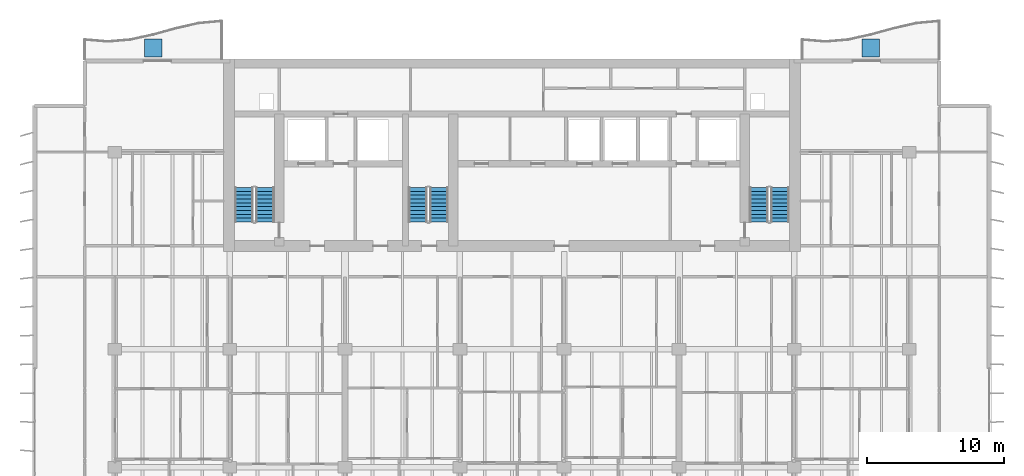
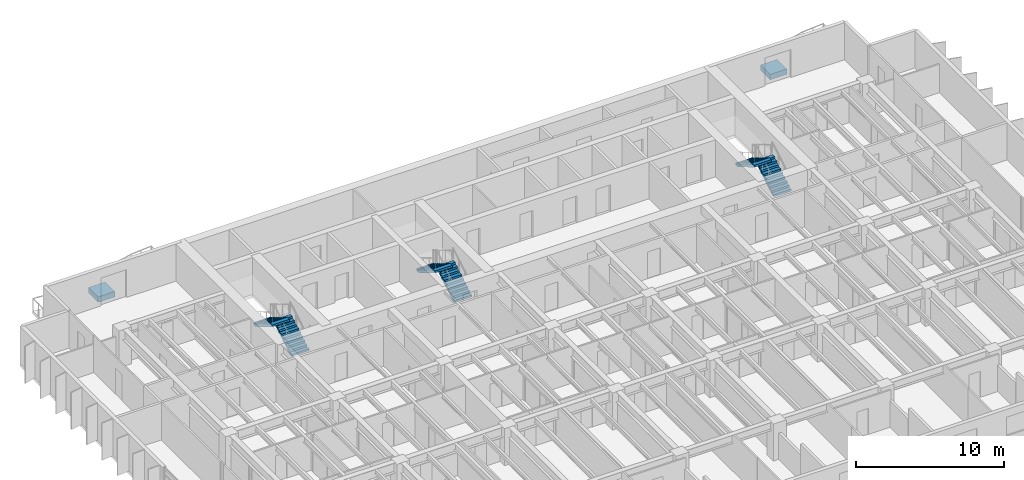
# One storey, part 14 of 18: 6 stair flights, 2 discrete accessories, 3 elements without a shape of their own.
"""IFC4 building model written with IfcOpenShell, lengths in metres."""

from ifc_helpers import new_model, si_unit, direction, frame, origin, origin_2d, place, context, subcontext, project, spatial, polyline, rectangle, outline, extrude, material, type_object, element, aggregate, save


model = new_model("IFC4")

# Units and contexts
model_context = context("Model", 3, precision=1e-05, world=origin(), true_north=direction((0.0, 1.0)))
body_context = subcontext(model_context, "Body", "Model", "MODEL_VIEW")
ifc_project = project(units=[si_unit("LENGTHUNIT", "METRE"), si_unit("AREAUNIT", "SQUARE_METRE"), si_unit("VOLUMEUNIT", "CUBIC_METRE"), si_unit("PLANEANGLEUNIT", "RADIAN"), si_unit("MASSUNIT", "GRAM", prefix="KILO")], contexts=[model_context])

# Site, building, storey
site_placement = place(None, origin())
site = spatial("IfcSite", under=ifc_project, at=site_placement, CompositionType="ELEMENT")
building_placement = place(site_placement, origin())
building = spatial("IfcBuilding", under=site, at=building_placement, Name="Caelmar Bay Residences", CompositionType="ELEMENT")
storey_placement = place(building_placement, frame((0.0, 0.0, 122.39990234375)))
storey = spatial("IfcBuildingStorey", under=building, at=storey_placement, Name="L33", CompositionType="ELEMENT", Elevation=122.39990234375)

# Stair, stair flights
ifc_material_1 = material(Name="Concrete f'c 40 MPa (6,000 psi)", Category="concrete")
stair_type = type_object("IfcStairType", Name="ST-TYP-165", PredefinedType="HALF_TURN_STAIR", material=ifc_material_1)
stair_1_placement = place(storey_placement, origin())
stair_1 = element("IfcStair", 1, at=stair_1_placement, inside=storey, type_object=stair_type, Name="L33 West Smokeproof Exit Stair ST1", PredefinedType="HALF_TURN_STAIR")
stair_flight_type = type_object("IfcStairFlightType", Name="STF-1350", PredefinedType="STRAIGHT", material=ifc_material_1)
stair_flight_1_placement = place(storey_placement, frame((20.875, 38.699951171875, 0.0), z_axis=(0.0, 0.0, 1.0), x_axis=(0.0, 1.0, 0.0)))
stair_flight_1 = element("IfcStairFlight", 2, at=stair_flight_1_placement, type_object=stair_flight_type, Name="ST1 flight 1", NumberOfRisers=10, NumberOfTreads=9, PredefinedType="STRAIGHT", RiserHeight=0.165, TreadLength=0.28, context=body_context, shape_type="SweptSolid", body=[
    extrude(outline(polyline([(0.0, 0.0), (0.0, 0.1650390625), (0.280029296875, 0.1650390625), (0.280029296875, 0.330078125), (0.56005859375, 0.330078125), (0.56005859375, 0.4951171875), (0.840087890625, 0.4951171875), (0.840087890625, 0.659912109375), (1.1201171875, 0.659912109375), (1.1201171875, 0.824951171875), (1.39990234375, 0.824951171875), (1.39990234375, 0.989990234375), (1.679931640625, 0.989990234375), (1.679931640625, 1.155029296875), (1.9599609375, 1.155029296875), (1.9599609375, 1.320068359375), (2.239990234375, 1.320068359375), (2.239990234375, 1.485107421875), (2.52001953125, 1.485107421875), (2.52001953125, 1.64990234375), (2.52001953125, 1.31103515625), (0.295166015625, 0.0), (0.0, 0.0)])), frame((0.0, 0.675048828125, 0.0), z_axis=(0.0, -1.0, 0.0), x_axis=(1.0, 0.0, 0.0)), (0.0, 0.0, 1.0), 1.35009765625),
])
stair_flight_2_placement = place(storey_placement, frame((19.324951171875, 41.219970703125, 1.650146484375), z_axis=(0.0, 0.0, 1.0), x_axis=(0.0, -1.0, 0.0)))
stair_flight_2 = element("IfcStairFlight", 3, at=stair_flight_2_placement, type_object=stair_flight_type, Name="ST1 flight 2", NumberOfRisers=10, NumberOfTreads=9, PredefinedType="STRAIGHT", RiserHeight=0.165, TreadLength=0.28, context=body_context, shape_type="SweptSolid", body=[
    extrude(outline(polyline([(0.0, 0.0), (0.0, 0.1650390625), (0.280029296875, 0.1650390625), (0.280029296875, 0.330078125), (0.56005859375, 0.330078125), (0.56005859375, 0.4951171875), (0.840087890625, 0.4951171875), (0.840087890625, 0.659912109375), (1.1201171875, 0.659912109375), (1.1201171875, 0.824951171875), (1.39990234375, 0.824951171875), (1.39990234375, 0.989990234375), (1.679931640625, 0.989990234375), (1.679931640625, 1.155029296875), (1.9599609375, 1.155029296875), (1.9599609375, 1.320068359375), (2.239990234375, 1.320068359375), (2.239990234375, 1.485107421875), (2.52001953125, 1.485107421875), (2.52001953125, 1.64990234375), (2.52001953125, 1.31103515625), (0.295166015625, 0.0), (0.0, 0.0)])), frame((0.0, 0.675048828125, 0.0), z_axis=(0.0, -1.0, 0.0), x_axis=(1.0, 0.0, 0.0)), (0.0, 0.0, 1.0), 1.35009765625),
])
aggregate(stair_1, [stair_flight_1, stair_flight_2])

stair_2_placement = place(storey_placement, origin())
stair_2 = element("IfcStair", 4, at=stair_2_placement, inside=storey, type_object=stair_type, Name="L33 East Smokeproof Exit Stair ST2", PredefinedType="HALF_TURN_STAIR")
stair_flight_3_placement = place(storey_placement, frame((58.47509765625, 38.699951171875, 0.0), z_axis=(0.0, 0.0, 1.0), x_axis=(0.0, 1.0, 0.0)))
stair_flight_3 = element("IfcStairFlight", 5, at=stair_flight_3_placement, type_object=stair_flight_type, Name="ST2 flight 1", NumberOfRisers=10, NumberOfTreads=9, PredefinedType="STRAIGHT", RiserHeight=0.165, TreadLength=0.28, context=body_context, shape_type="SweptSolid", body=[
    extrude(outline(polyline([(0.0, 0.0), (0.0, 0.1650390625), (0.280029296875, 0.1650390625), (0.280029296875, 0.330078125), (0.56005859375, 0.330078125), (0.56005859375, 0.4951171875), (0.840087890625, 0.4951171875), (0.840087890625, 0.659912109375), (1.1201171875, 0.659912109375), (1.1201171875, 0.824951171875), (1.39990234375, 0.824951171875), (1.39990234375, 0.989990234375), (1.679931640625, 0.989990234375), (1.679931640625, 1.155029296875), (1.9599609375, 1.155029296875), (1.9599609375, 1.320068359375), (2.239990234375, 1.320068359375), (2.239990234375, 1.485107421875), (2.52001953125, 1.485107421875), (2.52001953125, 1.64990234375), (2.52001953125, 1.31103515625), (0.295166015625, 0.0), (0.0, 0.0)])), frame((0.0, 0.675048828125, 0.0), z_axis=(0.0, -1.0, 0.0), x_axis=(1.0, 0.0, 0.0)), (0.0, 0.0, 1.0), 1.35009765625),
])
stair_flight_4_placement = place(storey_placement, frame((56.925048828125, 41.219970703125, 1.650146484375), z_axis=(0.0, 0.0, 1.0), x_axis=(0.0, -1.0, 0.0)))
stair_flight_4 = element("IfcStairFlight", 6, at=stair_flight_4_placement, type_object=stair_flight_type, Name="ST2 flight 2", NumberOfRisers=10, NumberOfTreads=9, PredefinedType="STRAIGHT", RiserHeight=0.165, TreadLength=0.28, context=body_context, shape_type="SweptSolid", body=[
    extrude(outline(polyline([(0.0, 0.0), (0.0, 0.1650390625), (0.280029296875, 0.1650390625), (0.280029296875, 0.330078125), (0.56005859375, 0.330078125), (0.56005859375, 0.4951171875), (0.840087890625, 0.4951171875), (0.840087890625, 0.659912109375), (1.1201171875, 0.659912109375), (1.1201171875, 0.824951171875), (1.39990234375, 0.824951171875), (1.39990234375, 0.989990234375), (1.679931640625, 0.989990234375), (1.679931640625, 1.155029296875), (1.9599609375, 1.155029296875), (1.9599609375, 1.320068359375), (2.239990234375, 1.320068359375), (2.239990234375, 1.485107421875), (2.52001953125, 1.485107421875), (2.52001953125, 1.64990234375), (2.52001953125, 1.31103515625), (0.295166015625, 0.0), (0.0, 0.0)])), frame((0.0, 0.675048828125, 0.0), z_axis=(0.0, -1.0, 0.0), x_axis=(1.0, 0.0, 0.0)), (0.0, 0.0, 1.0), 1.35009765625),
])
aggregate(stair_2, [stair_flight_3, stair_flight_4])

stair_3_placement = place(storey_placement, origin())
stair_3 = element("IfcStair", 7, at=stair_3_placement, inside=storey, type_object=stair_type, Name="L33 Central Smokeproof Exit Stair ST3", PredefinedType="HALF_TURN_STAIR")
stair_flight_5_placement = place(storey_placement, frame((33.574951171875, 38.699951171875, 0.0), z_axis=(0.0, 0.0, 1.0), x_axis=(0.0, 1.0, 0.0)))
stair_flight_5 = element("IfcStairFlight", 8, at=stair_flight_5_placement, type_object=stair_flight_type, Name="ST3 flight 1", NumberOfRisers=10, NumberOfTreads=9, PredefinedType="STRAIGHT", RiserHeight=0.165, TreadLength=0.28, context=body_context, shape_type="SweptSolid", body=[
    extrude(outline(polyline([(0.0, 0.0), (0.0, 0.1650390625), (0.280029296875, 0.1650390625), (0.280029296875, 0.330078125), (0.56005859375, 0.330078125), (0.56005859375, 0.4951171875), (0.840087890625, 0.4951171875), (0.840087890625, 0.659912109375), (1.1201171875, 0.659912109375), (1.1201171875, 0.824951171875), (1.39990234375, 0.824951171875), (1.39990234375, 0.989990234375), (1.679931640625, 0.989990234375), (1.679931640625, 1.155029296875), (1.9599609375, 1.155029296875), (1.9599609375, 1.320068359375), (2.239990234375, 1.320068359375), (2.239990234375, 1.485107421875), (2.52001953125, 1.485107421875), (2.52001953125, 1.64990234375), (2.52001953125, 1.31103515625), (0.295166015625, 0.0), (0.0, 0.0)])), frame((0.0, 0.675048828125, 0.0), z_axis=(0.0, -1.0, 0.0), x_axis=(1.0, 0.0, 0.0)), (0.0, 0.0, 1.0), 1.35009765625),
])
stair_flight_6_placement = place(storey_placement, frame((32.02490234375, 41.219970703125, 1.650146484375), z_axis=(0.0, 0.0, 1.0), x_axis=(0.0, -1.0, 0.0)))
stair_flight_6 = element("IfcStairFlight", 9, at=stair_flight_6_placement, type_object=stair_flight_type, Name="ST3 flight 2", NumberOfRisers=10, NumberOfTreads=9, PredefinedType="STRAIGHT", RiserHeight=0.165, TreadLength=0.28, context=body_context, shape_type="SweptSolid", body=[
    extrude(outline(polyline([(0.0, 0.0), (0.0, 0.1650390625), (0.280029296875, 0.1650390625), (0.280029296875, 0.330078125), (0.56005859375, 0.330078125), (0.56005859375, 0.4951171875), (0.840087890625, 0.4951171875), (0.840087890625, 0.659912109375), (1.1201171875, 0.659912109375), (1.1201171875, 0.824951171875), (1.39990234375, 0.824951171875), (1.39990234375, 0.989990234375), (1.679931640625, 0.989990234375), (1.679931640625, 1.155029296875), (1.9599609375, 1.155029296875), (1.9599609375, 1.320068359375), (2.239990234375, 1.320068359375), (2.239990234375, 1.485107421875), (2.52001953125, 1.485107421875), (2.52001953125, 1.64990234375), (2.52001953125, 1.31103515625), (0.295166015625, 0.0), (0.0, 0.0)])), frame((0.0, 0.675048828125, 0.0), z_axis=(0.0, -1.0, 0.0), x_axis=(1.0, 0.0, 0.0)), (0.0, 0.0, 1.0), 1.35009765625),
])
aggregate(stair_3, [stair_flight_5, stair_flight_6])

# Discrete accessories
ifc_material_2 = material(Name="Precast concrete f'c 40 MPa (6,000 psi)", Category="concrete")
discrete_accessory_type = type_object("IfcDiscreteAccessoryType", Name="STR-PLANTER-KERB-450", PredefinedType="USERDEFINED", material=ifc_material_2)
for number, where, z_axis, x_axis, name in (
    (10, (12.699951171875, 51.39990234375, 0.0), (0.0, 0.0, 1.0), (1.0, 0.0, 0.0), "L33 north_west Structural Tree Planter Kerb"),
    (11, (65.10009765625, 51.39990234375, 0.0), (0.0, 0.0, 1.0), (1.0, 0.0, 0.0), "L33 north_east Structural Tree Planter Kerb"),
):
    element("IfcDiscreteAccessory", number, at=place(storey_placement, frame(where, z_axis=z_axis, x_axis=x_axis)), inside=storey, type_object=discrete_accessory_type, Name=name, ObjectType="PLANTER", PredefinedType="USERDEFINED", context=body_context, shape_type="SweptSolid", body=[
        extrude(rectangle(XDim=1.300048828125, YDim=1.300048828125, at=origin_2d()), origin(), (0.0, 0.0, 1.0), 0.449951171875),
    ])

save(model, "model.ifc")
